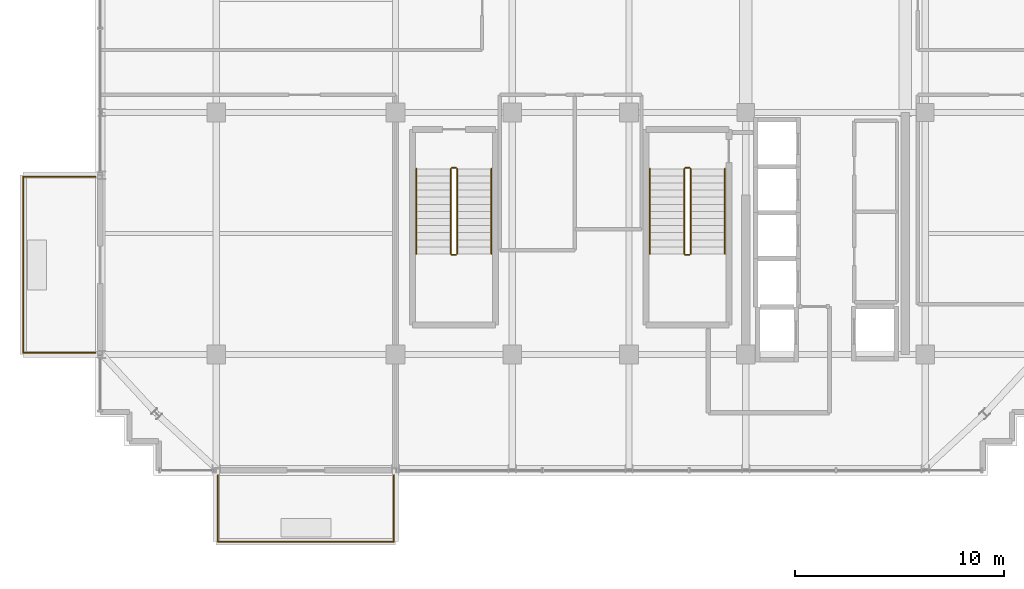
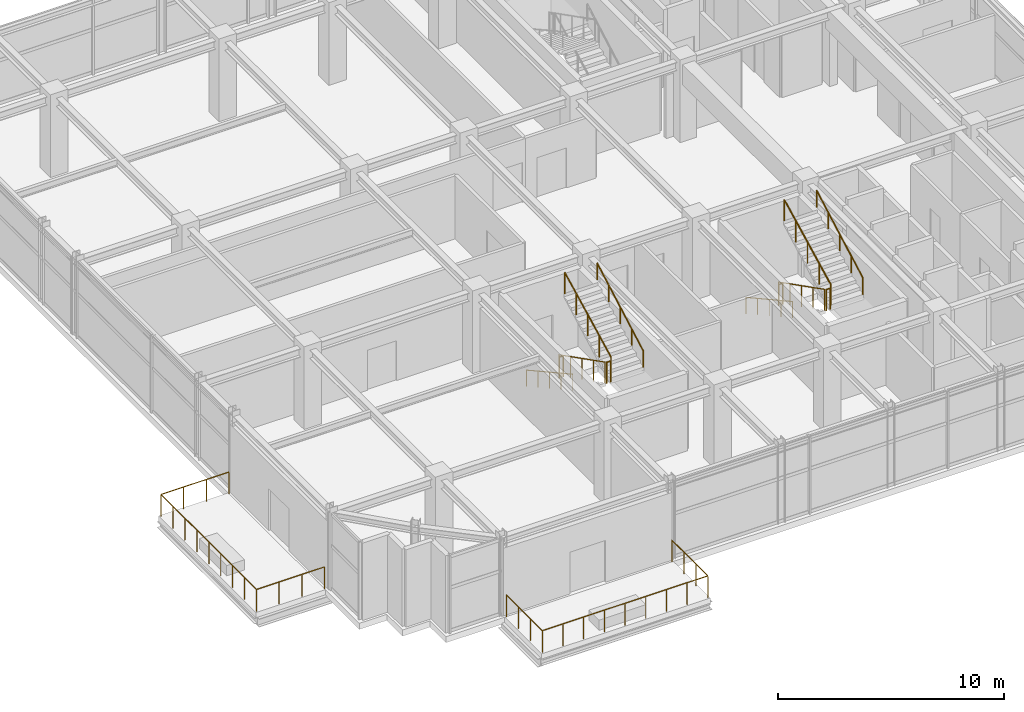
# One storey, part 23 of 25: 14 railings.
"""IFC4 building model written with IfcOpenShell, lengths in metres."""

from ifc_helpers import new_model, si_unit, direction, frame, origin, origin_2d, place, context, subcontext, project, spatial, circle, extrude, material, type_object, element, save


model = new_model("IFC4")

# Units and contexts
model_context = context("Model", 3, precision=1e-05, world=origin(), true_north=direction((0.0, 1.0)))
body_context = subcontext(model_context, "Body", "Model", "MODEL_VIEW")
ifc_project = project(units=[si_unit("LENGTHUNIT", "METRE"), si_unit("AREAUNIT", "SQUARE_METRE"), si_unit("VOLUMEUNIT", "CUBIC_METRE"), si_unit("PLANEANGLEUNIT", "RADIAN"), si_unit("MASSUNIT", "GRAM", prefix="KILO")], contexts=[model_context])

# Site, building, storey
site_placement = place(None, origin())
site = spatial("IfcSite", under=ifc_project, at=site_placement, CompositionType="ELEMENT")
building_placement = place(site_placement, origin())
building = spatial("IfcBuilding", under=site, at=building_placement, Name="Nahalor Promenade Grand Hotel", CompositionType="ELEMENT")
storey_placement = place(building_placement, frame((0.0, 0.0, 338.550048828125)))
storey = spatial("IfcBuildingStorey", under=building, at=storey_placement, Name="L87", CompositionType="ELEMENT", Elevation=338.550048828125)

# Railings
ifc_material_1 = material(Name="Anodised Bronze Aluminium EN AW-6063 T6", Category="aluminium")
railing_type_1 = type_object("IfcRailingType", Name="Bronze Balcony Guardrail 1200 mm", PredefinedType="GUARDRAIL", material=ifc_material_1)
railing_1_placement = place(storey_placement, frame((-16.919921875, -22.800048828125, 0.0)))
element("IfcRailing", 1, at=railing_1_placement, inside=storey, type_object=railing_type_1, Name="L87 Balcony Guardrail 1", PredefinedType="GUARDRAIL", context=body_context, shape_type="SweptSolid", body=[
    extrude(circle(Radius=0.024048, at=origin_2d()), frame((0.0, 0.0, 1.17578125), z_axis=(0.0, -1.0, 0.0), x_axis=(1.0, 0.0, 0.0)), (0.0, 0.0, 1.0), 3.177978515625),
    extrude(circle(Radius=0.024048, at=origin_2d()), frame((0.001953125, -3.179931640625, 1.17578125), z_axis=(1.0, 0.0, 0.0), x_axis=(0.0, 1.0, 0.0)), (0.0, 0.0, 1.0), 8.43603515625),
    extrude(circle(Radius=0.024048, at=origin_2d()), frame((8.43994140625, -3.177978515625, 1.17578125), z_axis=(0.0, 1.0, 0.0), x_axis=(-1.0, 0.0, 0.0)), (0.0, 0.0, 1.0), 3.177978515625),
    extrude(circle(Radius=0.020996, at=origin_2d()), origin(), (0.0, 0.0, 1.0), 1.14990234375),
    extrude(circle(Radius=0.020996, at=origin_2d()), frame((0.0, -1.06005859375, 0.0)), (0.0, 0.0, 1.0), 1.14990234375),
    extrude(circle(Radius=0.020996, at=origin_2d()), frame((0.0, -2.119873046875, 0.0)), (0.0, 0.0, 1.0), 1.14990234375),
    extrude(circle(Radius=0.020996, at=origin_2d()), frame((0.0, -3.179931640625, 0.0)), (0.0, 0.0, 1.0), 1.14990234375),
    extrude(circle(Radius=0.020996, at=origin_2d()), frame((1.054931640625, -3.179931640625, 0.0)), (0.0, 0.0, 1.0), 1.14990234375),
    extrude(circle(Radius=0.020996, at=origin_2d()), frame((2.10986328125, -3.179931640625, 0.0)), (0.0, 0.0, 1.0), 1.14990234375),
    extrude(circle(Radius=0.020996, at=origin_2d()), frame((3.1650390625, -3.179931640625, 0.0)), (0.0, 0.0, 1.0), 1.14990234375),
    extrude(circle(Radius=0.020996, at=origin_2d()), frame((4.219970703125, -3.179931640625, 0.0)), (0.0, 0.0, 1.0), 1.14990234375),
    extrude(circle(Radius=0.020996, at=origin_2d()), frame((5.27490234375, -3.179931640625, 0.0)), (0.0, 0.0, 1.0), 1.14990234375),
    extrude(circle(Radius=0.020996, at=origin_2d()), frame((6.330078125, -3.179931640625, 0.0)), (0.0, 0.0, 1.0), 1.14990234375),
    extrude(circle(Radius=0.020996, at=origin_2d()), frame((7.385009765625, -3.179931640625, 0.0)), (0.0, 0.0, 1.0), 1.14990234375),
    extrude(circle(Radius=0.020996, at=origin_2d()), frame((8.43994140625, -3.179931640625, 0.0)), (0.0, 0.0, 1.0), 1.14990234375),
    extrude(circle(Radius=0.020996, at=origin_2d()), frame((8.43994140625, -2.119873046875, 0.0)), (0.0, 0.0, 1.0), 1.14990234375),
    extrude(circle(Radius=0.020996, at=origin_2d()), frame((8.43994140625, -1.06005859375, 0.0)), (0.0, 0.0, 1.0), 1.14990234375),
    extrude(circle(Radius=0.020996, at=origin_2d()), frame((8.43994140625, 0.0, 0.0)), (0.0, 0.0, 1.0), 1.14990234375),
])
railing_2_placement = place(storey_placement, frame((-22.800048828125, -16.919921875, 0.0)))
element("IfcRailing", 2, at=railing_2_placement, inside=storey, type_object=railing_type_1, Name="L87 Balcony Guardrail 2", PredefinedType="GUARDRAIL", context=body_context, shape_type="SweptSolid", body=[
    extrude(circle(Radius=0.024048, at=origin_2d()), frame((0.0, 0.0, 1.17578125), z_axis=(-1.0, 0.0, 0.0), x_axis=(0.0, -1.0, 0.0)), (0.0, 0.0, 1.0), 3.4580078125),
    extrude(circle(Radius=0.024048, at=origin_2d()), frame((-3.4599609375, 0.001953125, 1.17578125), z_axis=(0.0, 1.0, 0.0), x_axis=(-1.0, 0.0, 0.0)), (0.0, 0.0, 1.0), 8.43603515625),
    extrude(circle(Radius=0.024048, at=origin_2d()), frame((-3.4580078125, 8.43994140625, 1.17578125), z_axis=(1.0, 0.0, 0.0), x_axis=(0.0, 1.0, 0.0)), (0.0, 0.0, 1.0), 3.4580078125),
    extrude(circle(Radius=0.020996, at=origin_2d()), origin(), (0.0, 0.0, 1.0), 1.14990234375),
    extrude(circle(Radius=0.020996, at=origin_2d()), frame((-1.1533203125, 0.0, 0.0)), (0.0, 0.0, 1.0), 1.14990234375),
    extrude(circle(Radius=0.020996, at=origin_2d()), frame((-2.306640625, 0.0, 0.0)), (0.0, 0.0, 1.0), 1.14990234375),
    extrude(circle(Radius=0.020996, at=origin_2d()), frame((-3.4599609375, 0.0, 0.0)), (0.0, 0.0, 1.0), 1.14990234375),
    extrude(circle(Radius=0.020996, at=origin_2d()), frame((-3.4599609375, 1.054931640625, 0.0)), (0.0, 0.0, 1.0), 1.14990234375),
    extrude(circle(Radius=0.020996, at=origin_2d()), frame((-3.4599609375, 2.10986328125, 0.0)), (0.0, 0.0, 1.0), 1.14990234375),
    extrude(circle(Radius=0.020996, at=origin_2d()), frame((-3.4599609375, 3.1650390625, 0.0)), (0.0, 0.0, 1.0), 1.14990234375),
    extrude(circle(Radius=0.020996, at=origin_2d()), frame((-3.4599609375, 4.219970703125, 0.0)), (0.0, 0.0, 1.0), 1.14990234375),
    extrude(circle(Radius=0.020996, at=origin_2d()), frame((-3.4599609375, 5.27490234375, 0.0)), (0.0, 0.0, 1.0), 1.14990234375),
    extrude(circle(Radius=0.020996, at=origin_2d()), frame((-3.4599609375, 6.330078125, 0.0)), (0.0, 0.0, 1.0), 1.14990234375),
    extrude(circle(Radius=0.020996, at=origin_2d()), frame((-3.4599609375, 7.385009765625, 0.0)), (0.0, 0.0, 1.0), 1.14990234375),
    extrude(circle(Radius=0.020996, at=origin_2d()), frame((-3.4599609375, 8.43994140625, 0.0)), (0.0, 0.0, 1.0), 1.14990234375),
    extrude(circle(Radius=0.020996, at=origin_2d()), frame((-2.306640625, 8.43994140625, 0.0)), (0.0, 0.0, 1.0), 1.14990234375),
    extrude(circle(Radius=0.020996, at=origin_2d()), frame((-1.1533203125, 8.43994140625, 0.0)), (0.0, 0.0, 1.0), 1.14990234375),
    extrude(circle(Radius=0.020996, at=origin_2d()), frame((0.0, 8.43994140625, 0.0)), (0.0, 0.0, 1.0), 1.14990234375),
])
ifc_material_2 = material(Name="Steel S355JR", Category="steel")
railing_type_2 = type_object("IfcRailingType", Name="Steel Stair Guardrail 1150 mm", PredefinedType="GUARDRAIL", material=ifc_material_2)
railing_3_placement = place(storey_placement, frame((5.449951171875, -8.10009765625, 0.173095703125)))
element("IfcRailing", 3, at=railing_3_placement, inside=storey, type_object=railing_type_2, Name="L87 ST2 stair guard 1", PredefinedType="GUARDRAIL", context=body_context, shape_type="SweptSolid", body=[
    extrude(circle(Radius=0.024048, at=origin_2d()), frame((0.0, 0.0, 1.1259765625), z_axis=(0.0, -0.891172131844, 0.453665329759), x_axis=(1.0, 0.0, 0.0)), (0.0, 0.0, 1.0), 4.578125),
    extrude(circle(Radius=0.020996, at=origin_2d()), origin(), (0.0, 0.0, 1.0), 1.099853515625),
    extrude(circle(Radius=0.020996, at=origin_2d()), frame((0.0, -1.02001953125, 0.519287109375)), (0.0, 0.0, 1.0), 1.099853515625),
    extrude(circle(Radius=0.020996, at=origin_2d()), frame((0.0, -2.0400390625, 1.03857421875)), (0.0, 0.0, 1.0), 1.099853515625),
    extrude(circle(Radius=0.020996, at=origin_2d()), frame((0.0, -3.059814453125, 1.5576171875)), (0.0, 0.0, 1.0), 1.099853515625),
    extrude(circle(Radius=0.020996, at=origin_2d()), frame((0.0, -4.079833984375, 2.076904296875)), (0.0, 0.0, 1.0), 1.099853515625),
])
railing_4_placement = place(storey_placement, frame((5.5, -12.22998046875, 2.25)))
element("IfcRailing", 4, at=railing_4_placement, inside=storey, type_object=railing_type_2, Name="L87 ST2 stair guard 2", PredefinedType="GUARDRAIL", context=body_context, shape_type="SweptSolid", body=[
    extrude(circle(Radius=0.024048, at=origin_2d()), frame((0.0, 0.0, 1.1259765625), z_axis=(1.0, 0.0, 0.0), x_axis=(0.0, 1.0, 0.0)), (0.0, 0.0, 1.0), 0.199951171875),
    extrude(circle(Radius=0.020996, at=origin_2d()), origin(), (0.0, 0.0, 1.0), 1.099853515625),
    extrude(circle(Radius=0.020996, at=origin_2d()), frame((0.199951171875, 0.0, 0.0)), (0.0, 0.0, 1.0), 1.099853515625),
])
railing_5_placement = place(storey_placement, frame((5.75, -12.179931640625, 2.423095703125)))
element("IfcRailing", 5, at=railing_5_placement, inside=storey, type_object=railing_type_2, Name="L87 ST2 stair guard 3", PredefinedType="GUARDRAIL", context=body_context, shape_type="SweptSolid", body=[
    extrude(circle(Radius=0.024048, at=origin_2d()), frame((0.0, 0.0, 1.1259765625), z_axis=(0.0, 0.891172131844, 0.453665329759), x_axis=(-1.0, 0.0, 0.0)), (0.0, 0.0, 1.0), 4.578125),
    extrude(circle(Radius=0.020996, at=origin_2d()), origin(), (0.0, 0.0, 1.0), 1.099853515625),
    extrude(circle(Radius=0.020996, at=origin_2d()), frame((0.0, 1.02001953125, 0.519287109375)), (0.0, 0.0, 1.0), 1.099853515625),
    extrude(circle(Radius=0.020996, at=origin_2d()), frame((0.0, 2.0400390625, 1.03857421875)), (0.0, 0.0, 1.0), 1.099853515625),
    extrude(circle(Radius=0.020996, at=origin_2d()), frame((0.0, 3.059814453125, 1.5576171875)), (0.0, 0.0, 1.0), 1.099853515625),
    extrude(circle(Radius=0.020996, at=origin_2d()), frame((0.0, 4.079833984375, 2.076904296875)), (0.0, 0.0, 1.0), 1.099853515625),
])
railing_6_placement = place(storey_placement, frame((5.5, -8.050048828125, 0.0)))
element("IfcRailing", 6, at=railing_6_placement, inside=storey, type_object=railing_type_2, Name="L87 ST2 stair guard 4", PredefinedType="GUARDRAIL", context=body_context, shape_type="SweptSolid", body=[
    extrude(circle(Radius=0.024048, at=origin_2d()), frame((0.0, 0.0, 1.1259765625), z_axis=(1.0, 0.0, 0.0), x_axis=(0.0, 1.0, 0.0)), (0.0, 0.0, 1.0), 0.199951171875),
    extrude(circle(Radius=0.020996, at=origin_2d()), origin(), (0.0, 0.0, 1.0), 1.099853515625),
    extrude(circle(Radius=0.020996, at=origin_2d()), frame((0.199951171875, 0.0, 0.0)), (0.0, 0.0, 1.0), 1.099853515625),
])
railing_7_placement = place(storey_placement, frame((-5.75, -8.10009765625, 0.173095703125)))
element("IfcRailing", 7, at=railing_7_placement, inside=storey, type_object=railing_type_2, Name="L87 ST3 stair guard 1", PredefinedType="GUARDRAIL", context=body_context, shape_type="SweptSolid", body=[
    extrude(circle(Radius=0.024048, at=origin_2d()), frame((0.0, 0.0, 1.1259765625), z_axis=(0.0, -0.891172131844, 0.453665329759), x_axis=(1.0, 0.0, 0.0)), (0.0, 0.0, 1.0), 4.578125),
    extrude(circle(Radius=0.020996, at=origin_2d()), origin(), (0.0, 0.0, 1.0), 1.099853515625),
    extrude(circle(Radius=0.020996, at=origin_2d()), frame((0.0, -1.02001953125, 0.519287109375)), (0.0, 0.0, 1.0), 1.099853515625),
    extrude(circle(Radius=0.020996, at=origin_2d()), frame((0.0, -2.0400390625, 1.03857421875)), (0.0, 0.0, 1.0), 1.099853515625),
    extrude(circle(Radius=0.020996, at=origin_2d()), frame((0.0, -3.059814453125, 1.5576171875)), (0.0, 0.0, 1.0), 1.099853515625),
    extrude(circle(Radius=0.020996, at=origin_2d()), frame((0.0, -4.079833984375, 2.076904296875)), (0.0, 0.0, 1.0), 1.099853515625),
])
railing_8_placement = place(storey_placement, frame((-5.699951171875, -12.22998046875, 2.25)))
element("IfcRailing", 8, at=railing_8_placement, inside=storey, type_object=railing_type_2, Name="L87 ST3 stair guard 2", PredefinedType="GUARDRAIL", context=body_context, shape_type="SweptSolid", body=[
    extrude(circle(Radius=0.024048, at=origin_2d()), frame((0.0, 0.0, 1.1259765625), z_axis=(1.0, 0.0, 0.0), x_axis=(0.0, 1.0, 0.0)), (0.0, 0.0, 1.0), 0.199951171875),
    extrude(circle(Radius=0.020996, at=origin_2d()), origin(), (0.0, 0.0, 1.0), 1.099853515625),
    extrude(circle(Radius=0.020996, at=origin_2d()), frame((0.199951171875, 0.0, 0.0)), (0.0, 0.0, 1.0), 1.099853515625),
])
railing_9_placement = place(storey_placement, frame((-5.449951171875, -12.179931640625, 2.423095703125)))
element("IfcRailing", 9, at=railing_9_placement, inside=storey, type_object=railing_type_2, Name="L87 ST3 stair guard 3", PredefinedType="GUARDRAIL", context=body_context, shape_type="SweptSolid", body=[
    extrude(circle(Radius=0.024048, at=origin_2d()), frame((0.0, 0.0, 1.1259765625), z_axis=(0.0, 0.891172131844, 0.453665329759), x_axis=(-1.0, 0.0, 0.0)), (0.0, 0.0, 1.0), 4.578125),
    extrude(circle(Radius=0.020996, at=origin_2d()), origin(), (0.0, 0.0, 1.0), 1.099853515625),
    extrude(circle(Radius=0.020996, at=origin_2d()), frame((0.0, 1.02001953125, 0.519287109375)), (0.0, 0.0, 1.0), 1.099853515625),
    extrude(circle(Radius=0.020996, at=origin_2d()), frame((0.0, 2.0400390625, 1.03857421875)), (0.0, 0.0, 1.0), 1.099853515625),
    extrude(circle(Radius=0.020996, at=origin_2d()), frame((0.0, 3.059814453125, 1.5576171875)), (0.0, 0.0, 1.0), 1.099853515625),
    extrude(circle(Radius=0.020996, at=origin_2d()), frame((0.0, 4.079833984375, 2.076904296875)), (0.0, 0.0, 1.0), 1.099853515625),
])
railing_10_placement = place(storey_placement, frame((-5.699951171875, -8.050048828125, 0.0)))
element("IfcRailing", 10, at=railing_10_placement, inside=storey, type_object=railing_type_2, Name="L87 ST3 stair guard 4", PredefinedType="GUARDRAIL", context=body_context, shape_type="SweptSolid", body=[
    extrude(circle(Radius=0.024048, at=origin_2d()), frame((0.0, 0.0, 1.1259765625), z_axis=(1.0, 0.0, 0.0), x_axis=(0.0, 1.0, 0.0)), (0.0, 0.0, 1.0), 0.199951171875),
    extrude(circle(Radius=0.020996, at=origin_2d()), origin(), (0.0, 0.0, 1.0), 1.099853515625),
    extrude(circle(Radius=0.020996, at=origin_2d()), frame((0.199951171875, 0.0, 0.0)), (0.0, 0.0, 1.0), 1.099853515625),
])
railing_type_3 = type_object("IfcRailingType", Name="Steel Stair Handrail 900 mm", PredefinedType="HANDRAIL", material=ifc_material_2)
railing_11_placement = place(storey_placement, frame((3.800048828125, -8.10009765625, 0.173095703125)))
element("IfcRailing", 11, at=railing_11_placement, inside=storey, type_object=railing_type_3, Name="L87 ST2 stair handrail 1", PredefinedType="HANDRAIL", context=body_context, shape_type="SweptSolid", body=[
    extrude(circle(Radius=0.024048, at=origin_2d()), frame((0.0, 0.0, 0.8759765625), z_axis=(0.0, -0.875663268765, 0.482922188076), x_axis=(1.0, 0.0, 0.0)), (0.0, 0.0, 1.0), 4.6591796875),
    extrude(circle(Radius=0.020996, at=origin_2d()), origin(), (0.0, 0.0, 1.0), 0.849853515625),
    extrude(circle(Radius=0.020996, at=origin_2d()), frame((0.0, -1.02001953125, 0.5625)), (0.0, 0.0, 1.0), 0.849853515625),
    extrude(circle(Radius=0.020996, at=origin_2d()), frame((0.0, -2.0400390625, 1.125)), (0.0, 0.0, 1.0), 0.849853515625),
    extrude(circle(Radius=0.020996, at=origin_2d()), frame((0.0, -3.059814453125, 1.6875)), (0.0, 0.0, 1.0), 0.849853515625),
    extrude(circle(Radius=0.020996, at=origin_2d()), frame((0.0, -4.079833984375, 2.25)), (0.0, 0.0, 1.0), 0.849853515625),
])
railing_12_placement = place(storey_placement, frame((7.39990234375, -12.179931640625, 2.423095703125)))
element("IfcRailing", 12, at=railing_12_placement, inside=storey, type_object=railing_type_3, Name="L87 ST2 stair handrail 2", PredefinedType="HANDRAIL", context=body_context, shape_type="SweptSolid", body=[
    extrude(circle(Radius=0.024048, at=origin_2d()), frame((0.0, 0.0, 0.8759765625), z_axis=(0.0, 0.875663268765, 0.482922188076), x_axis=(-1.0, 0.0, 0.0)), (0.0, 0.0, 1.0), 4.6591796875),
    extrude(circle(Radius=0.020996, at=origin_2d()), origin(), (0.0, 0.0, 1.0), 0.849853515625),
    extrude(circle(Radius=0.020996, at=origin_2d()), frame((0.0, 1.02001953125, 0.5625)), (0.0, 0.0, 1.0), 0.849853515625),
    extrude(circle(Radius=0.020996, at=origin_2d()), frame((0.0, 2.0400390625, 1.125)), (0.0, 0.0, 1.0), 0.849853515625),
    extrude(circle(Radius=0.020996, at=origin_2d()), frame((0.0, 3.059814453125, 1.6875)), (0.0, 0.0, 1.0), 0.849853515625),
    extrude(circle(Radius=0.020996, at=origin_2d()), frame((0.0, 4.079833984375, 2.25)), (0.0, 0.0, 1.0), 0.849853515625),
])
railing_13_placement = place(storey_placement, frame((-7.39990234375, -8.10009765625, 0.173095703125)))
element("IfcRailing", 13, at=railing_13_placement, inside=storey, type_object=railing_type_3, Name="L87 ST3 stair handrail 1", PredefinedType="HANDRAIL", context=body_context, shape_type="SweptSolid", body=[
    extrude(circle(Radius=0.024048, at=origin_2d()), frame((0.0, 0.0, 0.8759765625), z_axis=(0.0, -0.875663268765, 0.482922188076), x_axis=(1.0, 0.0, 0.0)), (0.0, 0.0, 1.0), 4.6591796875),
    extrude(circle(Radius=0.020996, at=origin_2d()), origin(), (0.0, 0.0, 1.0), 0.849853515625),
    extrude(circle(Radius=0.020996, at=origin_2d()), frame((0.0, -1.02001953125, 0.5625)), (0.0, 0.0, 1.0), 0.849853515625),
    extrude(circle(Radius=0.020996, at=origin_2d()), frame((0.0, -2.0400390625, 1.125)), (0.0, 0.0, 1.0), 0.849853515625),
    extrude(circle(Radius=0.020996, at=origin_2d()), frame((0.0, -3.059814453125, 1.6875)), (0.0, 0.0, 1.0), 0.849853515625),
    extrude(circle(Radius=0.020996, at=origin_2d()), frame((0.0, -4.079833984375, 2.25)), (0.0, 0.0, 1.0), 0.849853515625),
])
railing_14_placement = place(storey_placement, frame((-3.800048828125, -12.179931640625, 2.423095703125)))
element("IfcRailing", 14, at=railing_14_placement, inside=storey, type_object=railing_type_3, Name="L87 ST3 stair handrail 2", PredefinedType="HANDRAIL", context=body_context, shape_type="SweptSolid", body=[
    extrude(circle(Radius=0.024048, at=origin_2d()), frame((0.0, 0.0, 0.8759765625), z_axis=(0.0, 0.875663268765, 0.482922188076), x_axis=(-1.0, 0.0, 0.0)), (0.0, 0.0, 1.0), 4.6591796875),
    extrude(circle(Radius=0.020996, at=origin_2d()), origin(), (0.0, 0.0, 1.0), 0.849853515625),
    extrude(circle(Radius=0.020996, at=origin_2d()), frame((0.0, 1.02001953125, 0.5625)), (0.0, 0.0, 1.0), 0.849853515625),
    extrude(circle(Radius=0.020996, at=origin_2d()), frame((0.0, 2.0400390625, 1.125)), (0.0, 0.0, 1.0), 0.849853515625),
    extrude(circle(Radius=0.020996, at=origin_2d()), frame((0.0, 3.059814453125, 1.6875)), (0.0, 0.0, 1.0), 0.849853515625),
    extrude(circle(Radius=0.020996, at=origin_2d()), frame((0.0, 4.079833984375, 2.25)), (0.0, 0.0, 1.0), 0.849853515625),
])

save(model, "model.ifc")
